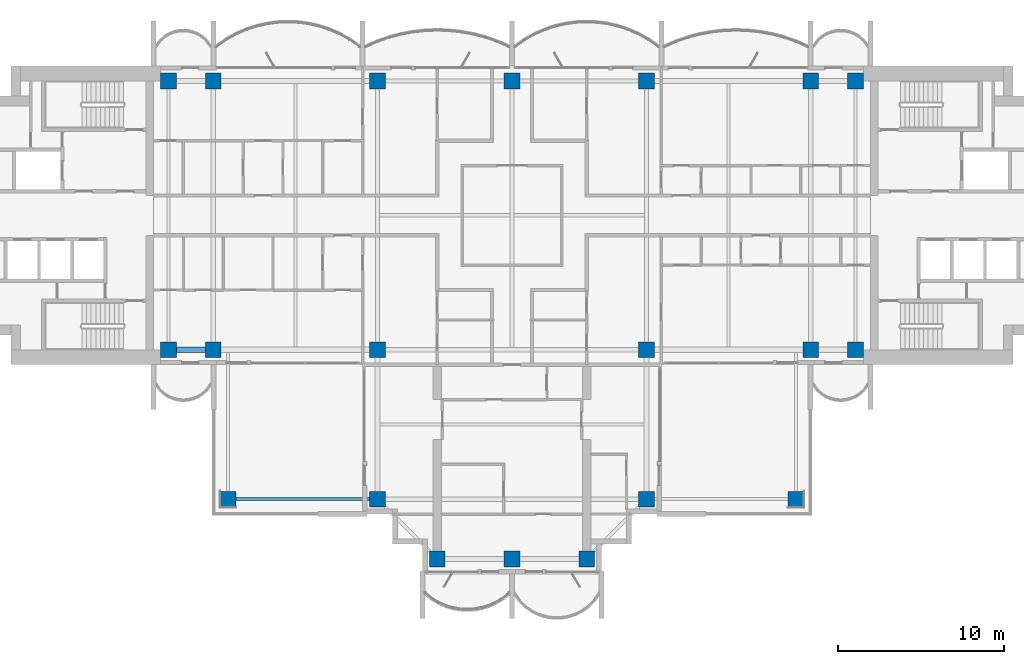
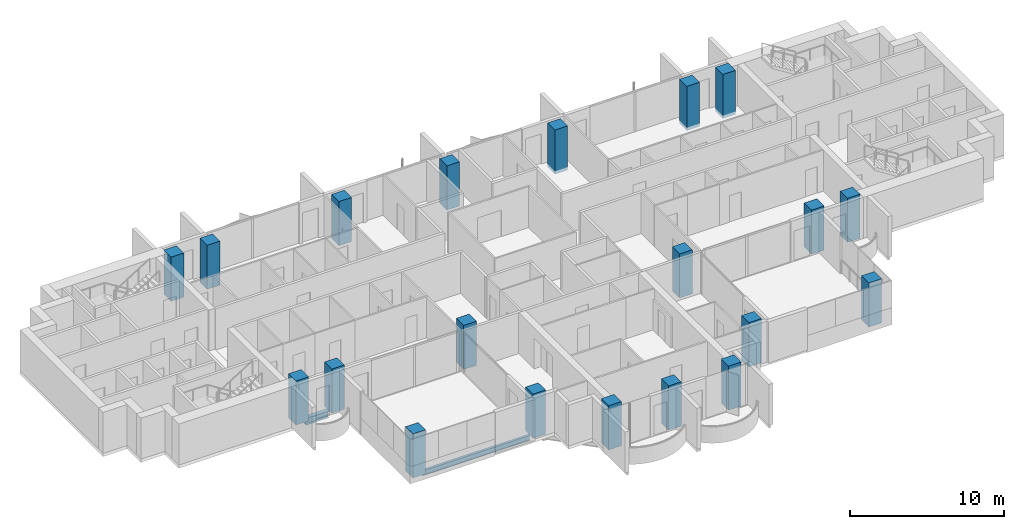
# One storey, part 1 of 17: 20 columns, 2 beams.
"""IFC4 building model written with IfcOpenShell, lengths in metres."""

from ifc_helpers import new_model, si_unit, direction, frame, origin, origin_2d, place, context, subcontext, project, spatial, rectangle, i_section, extrude, material, material_profile, profile_set, type_object, element, save


model = new_model("IFC4")

# Units and contexts
model_context = context("Model", 3, precision=1e-05, world=origin(), true_north=direction((0.0, 1.0)))
body_context = subcontext(model_context, "Body", "Model", "MODEL_VIEW")
ifc_project = project(units=[si_unit("LENGTHUNIT", "METRE"), si_unit("AREAUNIT", "SQUARE_METRE"), si_unit("VOLUMEUNIT", "CUBIC_METRE"), si_unit("PLANEANGLEUNIT", "RADIAN"), si_unit("MASSUNIT", "GRAM", prefix="KILO")], contexts=[model_context])

# Site, building, storey
site_placement = place(None, origin())
site = spatial("IfcSite", under=ifc_project, at=site_placement, CompositionType="ELEMENT")
building_placement = place(site_placement, origin())
building = spatial("IfcBuilding", under=site, at=building_placement, Name="Perihelion Cross Residences", CompositionType="ELEMENT")
storey_placement = place(building_placement, frame((0.0, 0.0, 194.60009765625)))
storey = spatial("IfcBuildingStorey", under=building, at=storey_placement, Name="L48", CompositionType="ELEMENT", Elevation=194.60009765625)

# Columns
ifc_material_1 = material(Name="Concrete C60/75", Category="concrete")
ifc_material_profile_1 = material_profile(ifc_material_1, rectangle(XDim=0.949951171875, YDim=0.949951171875, at=origin_2d()), Name="RC 950x950")
ifc_profile_set_1 = profile_set([ifc_material_profile_1], Name="Concrete C60/75")
column_type = type_object("IfcColumnType", Name="Reinforced concrete column 950x950 C60/75", PredefinedType="COLUMN", material=ifc_profile_set_1)
for number, where, z_axis, x_axis, name in (
    (1, (-20.699951171875, -8.10009765625, -0.25), (0.0, 0.0, 1.0), (1.0, 0.0, 0.0), "Column C017 L48 no. 1"),
    (2, (-20.699951171875, 8.10009765625, -0.25), (0.0, 0.0, 1.0), (1.0, 0.0, 0.0), "Column C010 L48 no. 1"),
    (3, (-18.0, -8.10009765625, -0.25), (0.0, 0.0, 1.0), (1.0, 0.0, 0.0), "Column C018 L48 no. 1"),
    (4, (-18.0, 8.10009765625, -0.25), (0.0, 0.0, 1.0), (1.0, 0.0, 0.0), "Column C011 L48 no. 1"),
    (5, (-8.10009765625, -17.10009765625, -0.25), (0.0, 0.0, 1.0), (1.0, 0.0, 0.0), "Column C031 L48 no. 1"),
    (6, (-8.10009765625, -8.10009765625, -0.25), (0.0, 0.0, 1.0), (1.0, 0.0, 0.0), "Column C019 L48 no. 1"),
    (7, (-8.10009765625, 8.10009765625, -0.25), (0.0, 0.0, 1.0), (1.0, 0.0, 0.0), "Column C012 L48 no. 1"),
    (8, (-4.5, -20.699951171875, -0.25), (0.0, 0.0, 1.0), (1.0, 0.0, 0.0), "Column C037 L48 no. 1"),
    (9, (0.0, -20.699951171875, -0.25), (0.0, 0.0, 1.0), (1.0, 0.0, 0.0), "Column C038 L48 no. 1"),
    (10, (0.0, 8.10009765625, -0.25), (0.0, 0.0, 1.0), (1.0, 0.0, 0.0), "Column C013 L48 no. 1"),
    (11, (4.5, -20.699951171875, -0.25), (0.0, 0.0, 1.0), (1.0, 0.0, 0.0), "Column C039 L48 no. 1"),
    (12, (8.10009765625, -17.10009765625, -0.25), (0.0, 0.0, 1.0), (1.0, 0.0, 0.0), "Column C035 L48 no. 1"),
    (13, (8.10009765625, -8.10009765625, -0.25), (0.0, 0.0, 1.0), (1.0, 0.0, 0.0), "Column C020 L48 no. 1"),
    (14, (8.10009765625, 8.10009765625, -0.25), (0.0, 0.0, 1.0), (1.0, 0.0, 0.0), "Column C014 L48 no. 1"),
    (15, (18.0, -8.10009765625, -0.25), (0.0, 0.0, 1.0), (1.0, 0.0, 0.0), "Column C021 L48 no. 1"),
    (16, (18.0, 8.10009765625, -0.25), (0.0, 0.0, 1.0), (1.0, 0.0, 0.0), "Column C015 L48 no. 1"),
    (17, (20.699951171875, -8.10009765625, -0.25), (0.0, 0.0, 1.0), (1.0, 0.0, 0.0), "Column C022 L48 no. 1"),
    (18, (20.699951171875, 8.10009765625, -0.25), (0.0, 0.0, 1.0), (1.0, 0.0, 0.0), "Column C016 L48 no. 1"),
    (19, (-17.10009765625, -17.10009765625, -0.25), (0.0, 0.0, 1.0), (1.0, 0.0, 0.0), "Column C030 L48 no. 1"),
    (20, (17.10009765625, -17.10009765625, -0.25), (0.0, 0.0, 1.0), (1.0, 0.0, 0.0), "Column C036 L48 no. 1"),
):
    element("IfcColumn", number, at=place(storey_placement, frame(where, z_axis=z_axis, x_axis=x_axis)), inside=storey, type_object=column_type, Name=name, PredefinedType="COLUMN", context=body_context, shape_type="SweptSolid", body=[
        extrude(rectangle(XDim=0.949951171875, YDim=0.949951171875, at=origin_2d()), origin(), (0.0, 0.0, 1.0), 3.5),
    ])

# Beams
ifc_material_2 = material(Name="Steel S355", Category="steel")
ifc_material_profile_2 = material_profile(ifc_material_2, i_section(OverallWidth=0.177978515625, OverallDepth=0.406005859375, WebThickness=0.0078125, FlangeThickness=0.0126953125, at=origin_2d()), Name="W410x60")
ifc_profile_set_2 = profile_set([ifc_material_profile_2], Name="Steel S355")
beam_type_1 = type_object("IfcBeamType", Name="Core edge beam W410x60", PredefinedType="BEAM", material=ifc_profile_set_2)
beam_1_placement = place(storey_placement, frame((-8.574951171875, -17.10009765625, -0.453125), z_axis=(-1.0, 0.0, 0.0), x_axis=(0.0, -1.0, 0.0)))
element("IfcBeam", 21, at=beam_1_placement, inside=storey, type_object=beam_type_1, Name="Core edge beam TB2 L48 corner no. 2", PredefinedType="BEAM", context=body_context, shape_type="SweptSolid", body=[
    extrude(i_section(OverallWidth=0.177978515625, OverallDepth=0.406005859375, WebThickness=0.0078125, FlangeThickness=0.0126953125, at=origin_2d()), origin(), (0.0, 0.0, 1.0), 8.050048828125),
])
ifc_material_3 = material(Name="Steel S355", Category="steel")
ifc_material_profile_3 = material_profile(ifc_material_3, i_section(OverallWidth=0.31201171875, OverallDepth=0.5439453125, WebThickness=0.0126953125, FlangeThickness=0.020263671875, at=origin_2d()), Name="W530x150")
ifc_profile_set_3 = profile_set([ifc_material_profile_3], Name="Steel S355")
beam_type_2 = type_object("IfcBeamType", Name="Edge beam W530x150", PredefinedType="SPANDREL", material=ifc_profile_set_3)
beam_2_placement = place(storey_placement, frame((-20.22509765625, -8.10009765625, -0.522216796875), z_axis=(1.0, 0.0, 0.0), x_axis=(0.0, 1.0, 0.0)))
element("IfcBeam", 22, at=beam_2_placement, inside=storey, type_object=beam_type_2, Name="Edge beam SB4 L48 no. 3", PredefinedType="SPANDREL", context=body_context, shape_type="SweptSolid", body=[
    extrude(i_section(OverallWidth=0.31201171875, OverallDepth=0.5439453125, WebThickness=0.0126953125, FlangeThickness=0.020263671875, at=origin_2d()), origin(), (0.0, 0.0, 1.0), 1.75),
])

save(model, "model.ifc")
